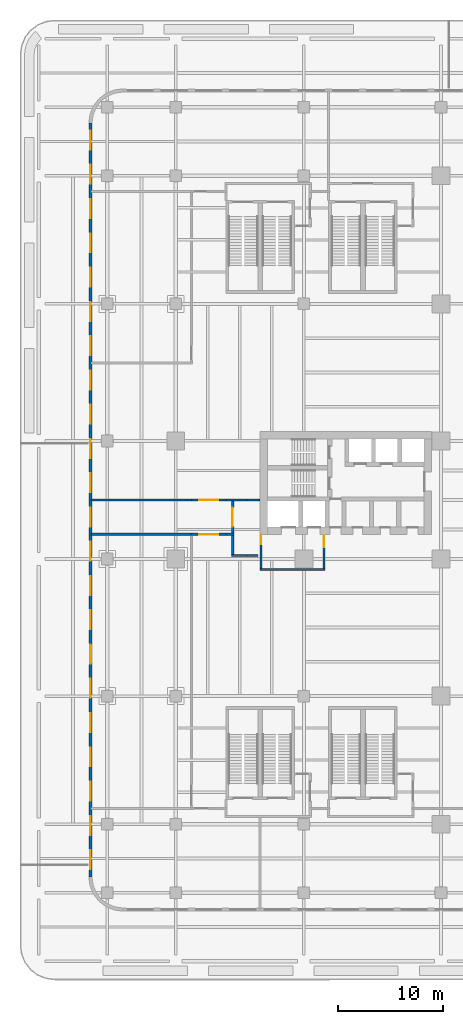
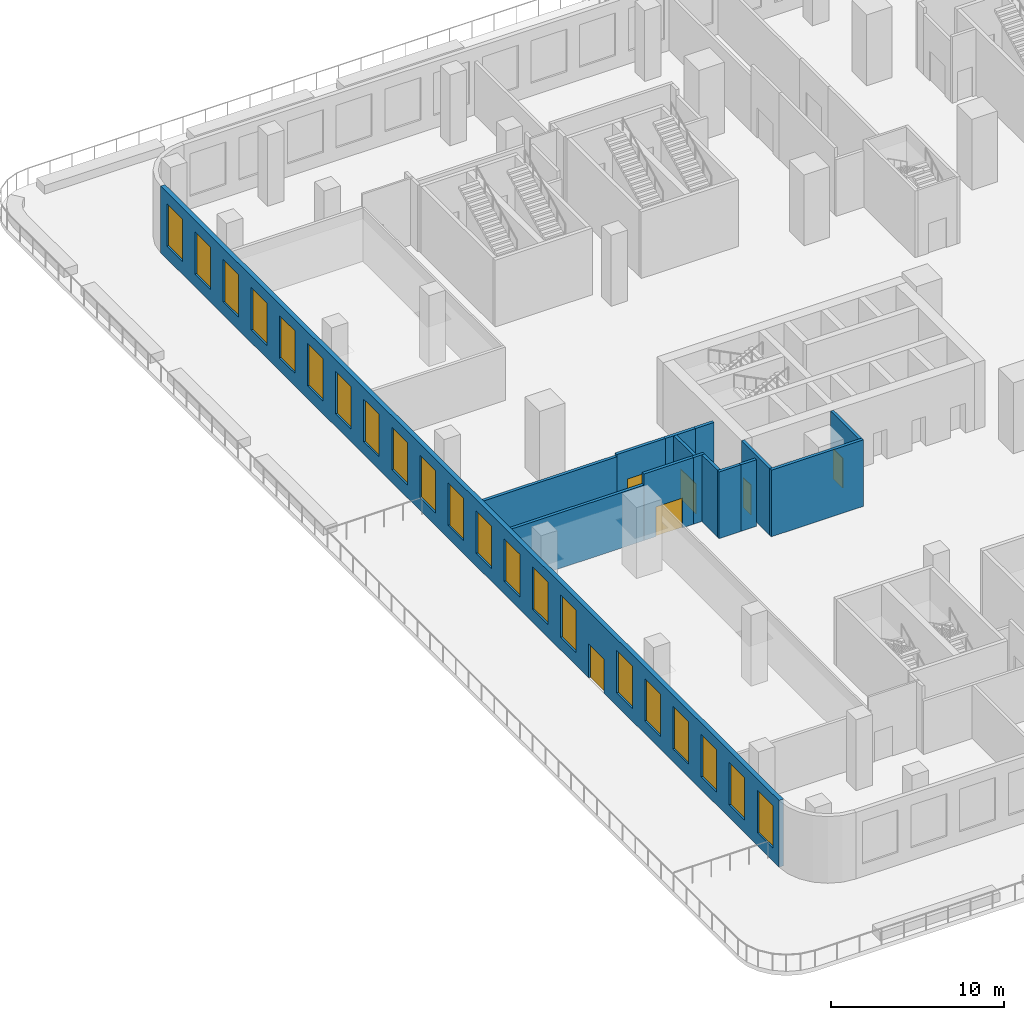
# One storey, part 8 of 18: 21 windows, 15 walls, 6 doors, 27 openings.
"""IFC4 building model written with IfcOpenShell, lengths in metres."""

from ifc_helpers import new_model, si_unit, direction, frame, frame_2d, origin, place, context, subcontext, project, spatial, rectangle, extrude, source, transform, mapped, material, layer, layer_set, type_object, element, fill, save


model = new_model("IFC4")

# Units and contexts
model_context = context("Model", 3, precision=1e-05, world=origin(), true_north=direction((0.0, 1.0)))
body_context = subcontext(model_context, "Body", "Model", "MODEL_VIEW")
ifc_project = project(units=[si_unit("LENGTHUNIT", "METRE"), si_unit("AREAUNIT", "SQUARE_METRE"), si_unit("VOLUMEUNIT", "CUBIC_METRE"), si_unit("PLANEANGLEUNIT", "RADIAN"), si_unit("MASSUNIT", "GRAM", prefix="KILO")], contexts=[model_context])

# Site, building, storey
site_placement = place(None, origin())
site = spatial("IfcSite", under=ifc_project, at=site_placement, CompositionType="ELEMENT")
building_placement = place(site_placement, origin())
building = spatial("IfcBuilding", under=site, at=building_placement, Name="Trellis Farm Tower", CompositionType="ELEMENT")
storey_placement = place(building_placement, frame((0.0, 0.0, 14.0)))
storey = spatial("IfcBuildingStorey", under=building, at=storey_placement, Name="L02", CompositionType="ELEMENT", Elevation=14.0)

# Wall, opening, door
ifc_material_1 = material(Name="Masonry blockwork", Category="masonry")
ifc_layer_1 = layer(ifc_material_1, 0.199951171875)
ifc_layer_set_1 = layer_set([ifc_layer_1], Name="FIRE LOBBY PARTITION 200 BLOCKWORK")
wall_type_1 = type_object("IfcWallType", Name="FIRE LOBBY PARTITION 200 BLOCKWORK", PredefinedType="PARTITIONING", material=ifc_layer_set_1)
shared_shape_1 = source(origin(), body_context, "Body", "SweptSolid", [
    extrude(rectangle(XDim=3.25, YDim=0.199951171875, at=frame_2d((1.625, 0.0))), origin(), (0.0, 0.0, 1.0), 4.699951171875),
])
wall_1_placement = place(storey_placement, frame((-16.699951171875, -3.25, 0.0), z_axis=(0.0, 0.0, 1.0), x_axis=(0.0, -1.0, 0.0)))
wall_1 = element("IfcWall", 1, at=wall_1_placement, inside=storey, type_object=wall_type_1, Name="Fire-fighting lobby partition", PredefinedType="PARTITIONING", context=body_context, shape_type="MappedRepresentation", body=[
    mapped(shared_shape_1, transform((0.0, 0.0, 0.0))),
])
shared_shape_2 = source(origin(), body_context, "Body", "SweptSolid", [
    extrude(rectangle(XDim=1.10009765625, YDim=2.10009765625, at=frame_2d((0.550048828125, 1.050048828125))), frame((0.0, 0.110107421875, 0.0), z_axis=(0.0, -1.0, 0.0), x_axis=(1.0, 0.0, 0.0)), (0.0, 0.0, 1.0), 0.22021484375),
])
opening_1_placement = place(wall_1_placement, frame((0.14990234375, 0.0, 0.0)))
opening_1 = element("IfcOpeningElement", 2, at=opening_1_placement, cuts=wall_1, Name="Opening DC93", PredefinedType="OPENING", context=body_context, shape_type="MappedRepresentation", body=[
    mapped(shared_shape_2, transform((0.0, 0.0, 0.0))),
])
ifc_material_2 = material(Name="Steel", Category="steel")
door_type_1 = type_object("IfcDoorType", Name="CORE FIRE DOOR 1100 X 2100", OperationType="NOTDEFINED", PredefinedType="DOOR", material=ifc_material_2)
shared_shape_3 = source(origin(), body_context, "Body", "SweptSolid", [
    extrude(rectangle(XDim=1.10009765625, YDim=2.10009765625, at=frame_2d((0.550048828125, 1.050048828125))), frame((0.0, 0.02490234375, 0.0), z_axis=(0.0, -1.0, 0.0), x_axis=(1.0, 0.0, 0.0)), (0.0, 0.0, 1.0), 0.050048828125),
])
door_1_placement = place(opening_1_placement, origin())
door_1 = element("IfcDoor", 3, at=door_1_placement, inside=storey, type_object=door_type_1, Name="Core door", OperationType="SINGLE_SWING_RIGHT", OverallHeight=2.10009765625, OverallWidth=1.10009765625, PredefinedType="DOOR", context=body_context, shape_type="MappedRepresentation", body=[
    mapped(shared_shape_3, transform((0.0, 0.0, 0.0))),
])
fill(opening_1, door_1)

wall_2_placement = place(storey_placement, frame((-22.64990234375, -3.25, 0.0), z_axis=(0.0, 0.0, 1.0), x_axis=(0.0, -1.0, 0.0)))
wall_2 = element("IfcWall", 4, at=wall_2_placement, inside=storey, type_object=wall_type_1, Name="Fire-fighting lobby partition", PredefinedType="PARTITIONING", context=body_context, shape_type="MappedRepresentation", body=[
    mapped(shared_shape_1, transform((0.0, 0.0, 0.0))),
])
shared_shape_4 = source(origin(), body_context, "Body", "SweptSolid", [
    extrude(rectangle(XDim=0.89990234375, YDim=2.10009765625, at=frame_2d((0.449951171875, 1.050048828125))), frame((0.0, 0.110107421875, 0.0), z_axis=(0.0, -1.0, 0.0), x_axis=(1.0, 0.0, 0.0)), (0.0, 0.0, 1.0), 0.22021484375),
])
opening_2_placement = place(wall_2_placement, frame((0.050048828125, 0.0, 0.0)))
opening_2 = element("IfcOpeningElement", 5, at=opening_2_placement, cuts=wall_2, Name="Opening DC94", PredefinedType="OPENING", context=body_context, shape_type="MappedRepresentation", body=[
    mapped(shared_shape_4, transform((0.0, 0.0, 0.0))),
])
door_type_2 = type_object("IfcDoorType", Name="CORE FIRE DOOR 900 X 2100", OperationType="NOTDEFINED", PredefinedType="DOOR", material=ifc_material_2)
shared_shape_5 = source(origin(), body_context, "Body", "SweptSolid", [
    extrude(rectangle(XDim=0.89990234375, YDim=2.10009765625, at=frame_2d((0.449951171875, 1.050048828125))), frame((0.0, 0.02490234375, 0.0), z_axis=(0.0, -1.0, 0.0), x_axis=(1.0, 0.0, 0.0)), (0.0, 0.0, 1.0), 0.050048828125),
])
door_2_placement = place(opening_2_placement, origin())
door_2 = element("IfcDoor", 6, at=door_2_placement, inside=storey, type_object=door_type_2, Name="Core door", OperationType="SINGLE_SWING_RIGHT", OverallHeight=2.10009765625, OverallWidth=0.89990234375, PredefinedType="DOOR", context=body_context, shape_type="MappedRepresentation", body=[
    mapped(shared_shape_5, transform((0.0, 0.0, 0.0))),
])
fill(opening_2, door_2)

# Wall
shared_shape_6 = source(origin(), body_context, "Body", "SweptSolid", [
    extrude(rectangle(XDim=6.14990234375, YDim=0.199951171875, at=frame_2d((3.074951171875, 0.0))), origin(), (0.0, 0.0, 1.0), 4.699951171875),
])
wall_3_placement = place(storey_placement, frame((-16.60009765625, -6.60009765625, 0.0), z_axis=(0.0, 0.0, 1.0), x_axis=(-1.0, 0.0, 0.0)))
element("IfcWall", 7, at=wall_3_placement, inside=storey, type_object=wall_type_1, Name="Fire-fighting lobby partition", PredefinedType="PARTITIONING", context=body_context, shape_type="MappedRepresentation", body=[
    mapped(shared_shape_6, transform((0.0, 0.0, 0.0))),
])

# Wall, openings, windows, door
ifc_material_3 = material(Name="Sandstone faced insulated wall", Category="masonry")
ifc_layer_2 = layer(ifc_material_3, 0.300048828125)
ifc_layer_set_2 = layer_set([ifc_layer_2], Name="STONE CLAD EXTERNAL WALL 300")
wall_type_2 = type_object("IfcWallType", Name="STONE CLAD EXTERNAL WALL 300", PredefinedType="SOLIDWALL", material=ifc_layer_set_2)
shared_shape_7 = source(origin(), body_context, "Body", "SweptSolid", [
    extrude(rectangle(XDim=71.5, YDim=0.300048828125, at=frame_2d((35.75, 0.0))), origin(), (0.0, 0.0, 1.0), 4.699951171875),
])
wall_4_placement = place(storey_placement, frame((-38.85009765625, 35.75, 0.0), z_axis=(0.0, 0.0, 1.0), x_axis=(0.0, -1.0, 0.0)))
wall_4 = element("IfcWall", 8, at=wall_4_placement, inside=storey, type_object=wall_type_2, Name="EW2 F03", PredefinedType="SOLIDWALL", context=body_context, shape_type="MappedRepresentation", body=[
    mapped(shared_shape_7, transform((0.0, 0.0, 0.0))),
])
shared_shape_8 = source(origin(), body_context, "Body", "SweptSolid", [
    extrude(rectangle(XDim=1.800048828125, YDim=3.0, at=frame_2d((0.89990234375, 1.5))), frame((0.0, 0.16015625, 0.0), z_axis=(0.0, -1.0, 0.0), x_axis=(1.0, 0.0, 0.0)), (0.0, 0.0, 1.0), 0.3203125),
])
opening_3_placement = place(wall_4_placement, frame((0.72509765625, 0.0, 0.89990234375)))
opening_3 = element("IfcOpeningElement", 9, at=opening_3_placement, cuts=wall_4, Name="Opening WN2", PredefinedType="OPENING", context=body_context, shape_type="MappedRepresentation", body=[
    mapped(shared_shape_8, transform((0.0, 0.0, 0.0))),
])
opening_4_placement = place(wall_4_placement, frame((3.97509765625, 0.0, 0.89990234375)))
opening_4 = element("IfcOpeningElement", 10, at=opening_4_placement, cuts=wall_4, Name="Opening WN2", PredefinedType="OPENING", context=body_context, shape_type="MappedRepresentation", body=[
    mapped(shared_shape_8, transform((0.0, 0.0, 0.0))),
])
opening_5_placement = place(wall_4_placement, frame((7.22509765625, 0.0, 0.89990234375)))
opening_5 = element("IfcOpeningElement", 11, at=opening_5_placement, cuts=wall_4, Name="Opening WN2", PredefinedType="OPENING", context=body_context, shape_type="MappedRepresentation", body=[
    mapped(shared_shape_8, transform((0.0, 0.0, 0.0))),
])
opening_6_placement = place(wall_4_placement, frame((10.47509765625, 0.0, 0.89990234375)))
opening_6 = element("IfcOpeningElement", 12, at=opening_6_placement, cuts=wall_4, Name="Opening WN2", PredefinedType="OPENING", context=body_context, shape_type="MappedRepresentation", body=[
    mapped(shared_shape_8, transform((0.0, 0.0, 0.0))),
])
opening_7_placement = place(wall_4_placement, frame((13.72509765625, 0.0, 0.89990234375)))
opening_7 = element("IfcOpeningElement", 13, at=opening_7_placement, cuts=wall_4, Name="Opening WN2", PredefinedType="OPENING", context=body_context, shape_type="MappedRepresentation", body=[
    mapped(shared_shape_8, transform((0.0, 0.0, 0.0))),
])
opening_8_placement = place(wall_4_placement, frame((16.97509765625, 0.0, 0.89990234375)))
opening_8 = element("IfcOpeningElement", 14, at=opening_8_placement, cuts=wall_4, Name="Opening WN2", PredefinedType="OPENING", context=body_context, shape_type="MappedRepresentation", body=[
    mapped(shared_shape_8, transform((0.0, 0.0, 0.0))),
])
opening_9_placement = place(wall_4_placement, frame((20.22509765625, 0.0, 0.89990234375)))
opening_9 = element("IfcOpeningElement", 15, at=opening_9_placement, cuts=wall_4, Name="Opening WN2", PredefinedType="OPENING", context=body_context, shape_type="MappedRepresentation", body=[
    mapped(shared_shape_8, transform((0.0, 0.0, 0.0))),
])
opening_10_placement = place(wall_4_placement, frame((23.47509765625, 0.0, 0.89990234375)))
opening_10 = element("IfcOpeningElement", 16, at=opening_10_placement, cuts=wall_4, Name="Opening WN2", PredefinedType="OPENING", context=body_context, shape_type="MappedRepresentation", body=[
    mapped(shared_shape_8, transform((0.0, 0.0, 0.0))),
])
opening_11_placement = place(wall_4_placement, frame((26.72509765625, 0.0, 0.89990234375)))
opening_11 = element("IfcOpeningElement", 17, at=opening_11_placement, cuts=wall_4, Name="Opening WN2", PredefinedType="OPENING", context=body_context, shape_type="MappedRepresentation", body=[
    mapped(shared_shape_8, transform((0.0, 0.0, 0.0))),
])
opening_12_placement = place(wall_4_placement, frame((29.97509765625, 0.0, 0.89990234375)))
opening_12 = element("IfcOpeningElement", 18, at=opening_12_placement, cuts=wall_4, Name="Opening WN2", PredefinedType="OPENING", context=body_context, shape_type="MappedRepresentation", body=[
    mapped(shared_shape_8, transform((0.0, 0.0, 0.0))),
])
opening_13_placement = place(wall_4_placement, frame((33.22509765625, 0.0, 0.89990234375)))
opening_13 = element("IfcOpeningElement", 19, at=opening_13_placement, cuts=wall_4, Name="Opening WN2", PredefinedType="OPENING", context=body_context, shape_type="MappedRepresentation", body=[
    mapped(shared_shape_8, transform((0.0, 0.0, 0.0))),
])
opening_14_placement = place(wall_4_placement, frame((36.47509765625, 0.0, 0.89990234375)))
opening_14 = element("IfcOpeningElement", 20, at=opening_14_placement, cuts=wall_4, Name="Opening WN2", PredefinedType="OPENING", context=body_context, shape_type="MappedRepresentation", body=[
    mapped(shared_shape_8, transform((0.0, 0.0, 0.0))),
])
opening_15_placement = place(wall_4_placement, frame((39.72509765625, 0.0, 0.89990234375)))
opening_15 = element("IfcOpeningElement", 21, at=opening_15_placement, cuts=wall_4, Name="Opening WN2", PredefinedType="OPENING", context=body_context, shape_type="MappedRepresentation", body=[
    mapped(shared_shape_8, transform((0.0, 0.0, 0.0))),
])
opening_16_placement = place(wall_4_placement, frame((42.97509765625, 0.0, 0.89990234375)))
opening_16 = element("IfcOpeningElement", 22, at=opening_16_placement, cuts=wall_4, Name="Opening WN2", PredefinedType="OPENING", context=body_context, shape_type="MappedRepresentation", body=[
    mapped(shared_shape_8, transform((0.0, 0.0, 0.0))),
])
opening_17_placement = place(wall_4_placement, frame((46.22509765625, 0.0, 0.89990234375)))
opening_17 = element("IfcOpeningElement", 23, at=opening_17_placement, cuts=wall_4, Name="Opening WN2", PredefinedType="OPENING", context=body_context, shape_type="MappedRepresentation", body=[
    mapped(shared_shape_8, transform((0.0, 0.0, 0.0))),
])
shared_shape_9 = source(origin(), body_context, "Body", "SweptSolid", [
    extrude(rectangle(XDim=1.800048828125, YDim=2.39990234375, at=frame_2d((0.89990234375, 1.199951171875))), frame((0.0, 0.16015625, 0.0), z_axis=(0.0, -1.0, 0.0), x_axis=(1.0, 0.0, 0.0)), (0.0, 0.0, 1.0), 0.3203125),
])
opening_18_placement = place(wall_4_placement, frame((49.47509765625, 0.0, 0.0)))
opening_18 = element("IfcOpeningElement", 24, at=opening_18_placement, cuts=wall_4, Name="Opening ED1", PredefinedType="OPENING", context=body_context, shape_type="MappedRepresentation", body=[
    mapped(shared_shape_9, transform((0.0, 0.0, 0.0))),
])
opening_19_placement = place(wall_4_placement, frame((52.72509765625, 0.0, 0.89990234375)))
opening_19 = element("IfcOpeningElement", 25, at=opening_19_placement, cuts=wall_4, Name="Opening WN2", PredefinedType="OPENING", context=body_context, shape_type="MappedRepresentation", body=[
    mapped(shared_shape_8, transform((0.0, 0.0, 0.0))),
])
opening_20_placement = place(wall_4_placement, frame((55.97509765625, 0.0, 0.89990234375)))
opening_20 = element("IfcOpeningElement", 26, at=opening_20_placement, cuts=wall_4, Name="Opening WN2", PredefinedType="OPENING", context=body_context, shape_type="MappedRepresentation", body=[
    mapped(shared_shape_8, transform((0.0, 0.0, 0.0))),
])
opening_21_placement = place(wall_4_placement, frame((59.22509765625, 0.0, 0.89990234375)))
opening_21 = element("IfcOpeningElement", 27, at=opening_21_placement, cuts=wall_4, Name="Opening WN2", PredefinedType="OPENING", context=body_context, shape_type="MappedRepresentation", body=[
    mapped(shared_shape_8, transform((0.0, 0.0, 0.0))),
])
opening_22_placement = place(wall_4_placement, frame((62.47509765625, 0.0, 0.89990234375)))
opening_22 = element("IfcOpeningElement", 28, at=opening_22_placement, cuts=wall_4, Name="Opening WN2", PredefinedType="OPENING", context=body_context, shape_type="MappedRepresentation", body=[
    mapped(shared_shape_8, transform((0.0, 0.0, 0.0))),
])
opening_23_placement = place(wall_4_placement, frame((65.72509765625, 0.0, 0.89990234375)))
opening_23 = element("IfcOpeningElement", 29, at=opening_23_placement, cuts=wall_4, Name="Opening WN2", PredefinedType="OPENING", context=body_context, shape_type="MappedRepresentation", body=[
    mapped(shared_shape_8, transform((0.0, 0.0, 0.0))),
])
opening_24_placement = place(wall_4_placement, frame((68.97509765625, 0.0, 0.89990234375)))
opening_24 = element("IfcOpeningElement", 30, at=opening_24_placement, cuts=wall_4, Name="Opening WN2", PredefinedType="OPENING", context=body_context, shape_type="MappedRepresentation", body=[
    mapped(shared_shape_8, transform((0.0, 0.0, 0.0))),
])
ifc_material_4 = material(Name="Clear insulated glass", Category="glass")
window_type = type_object("IfcWindowType", Name="PODIUM WINDOW 1800x3000", PartitioningType="SINGLE_PANEL", PredefinedType="WINDOW", material=ifc_material_4)
shared_shape_10 = source(origin(), body_context, "Body", "SweptSolid", [
    extrude(rectangle(XDim=1.800048828125, YDim=3.0, at=frame_2d((0.89990234375, 1.5))), frame((0.0, 0.030029296875, 0.0), z_axis=(0.0, -1.0, 0.0), x_axis=(1.0, 0.0, 0.0)), (0.0, 0.0, 1.0), 0.06005859375),
])
window_1_placement = place(opening_3_placement, origin())
window_1 = element("IfcWindow", 31, at=window_1_placement, inside=storey, type_object=window_type, Name="WN2 044", OverallHeight=3.0, OverallWidth=1.800048828125, PartitioningType="SINGLE_PANEL", PredefinedType="WINDOW", context=body_context, shape_type="MappedRepresentation", body=[
    mapped(shared_shape_10, transform((0.0, 0.0, 0.0))),
])
fill(opening_3, window_1)
window_2_placement = place(opening_4_placement, origin())
window_2 = element("IfcWindow", 32, at=window_2_placement, inside=storey, type_object=window_type, Name="WN2 045", OverallHeight=3.0, OverallWidth=1.800048828125, PartitioningType="SINGLE_PANEL", PredefinedType="WINDOW", context=body_context, shape_type="MappedRepresentation", body=[
    mapped(shared_shape_10, transform((0.0, 0.0, 0.0))),
])
fill(opening_4, window_2)
window_3_placement = place(opening_5_placement, origin())
window_3 = element("IfcWindow", 33, at=window_3_placement, inside=storey, type_object=window_type, Name="WN2 046", OverallHeight=3.0, OverallWidth=1.800048828125, PartitioningType="SINGLE_PANEL", PredefinedType="WINDOW", context=body_context, shape_type="MappedRepresentation", body=[
    mapped(shared_shape_10, transform((0.0, 0.0, 0.0))),
])
fill(opening_5, window_3)
window_4_placement = place(opening_6_placement, origin())
window_4 = element("IfcWindow", 34, at=window_4_placement, inside=storey, type_object=window_type, Name="WN2 047", OverallHeight=3.0, OverallWidth=1.800048828125, PartitioningType="SINGLE_PANEL", PredefinedType="WINDOW", context=body_context, shape_type="MappedRepresentation", body=[
    mapped(shared_shape_10, transform((0.0, 0.0, 0.0))),
])
fill(opening_6, window_4)
window_5_placement = place(opening_7_placement, origin())
window_5 = element("IfcWindow", 35, at=window_5_placement, inside=storey, type_object=window_type, Name="WN2 048", OverallHeight=3.0, OverallWidth=1.800048828125, PartitioningType="SINGLE_PANEL", PredefinedType="WINDOW", context=body_context, shape_type="MappedRepresentation", body=[
    mapped(shared_shape_10, transform((0.0, 0.0, 0.0))),
])
fill(opening_7, window_5)
window_6_placement = place(opening_8_placement, origin())
window_6 = element("IfcWindow", 36, at=window_6_placement, inside=storey, type_object=window_type, Name="WN2 049", OverallHeight=3.0, OverallWidth=1.800048828125, PartitioningType="SINGLE_PANEL", PredefinedType="WINDOW", context=body_context, shape_type="MappedRepresentation", body=[
    mapped(shared_shape_10, transform((0.0, 0.0, 0.0))),
])
fill(opening_8, window_6)
window_7_placement = place(opening_9_placement, origin())
window_7 = element("IfcWindow", 37, at=window_7_placement, inside=storey, type_object=window_type, Name="WN2 050", OverallHeight=3.0, OverallWidth=1.800048828125, PartitioningType="SINGLE_PANEL", PredefinedType="WINDOW", context=body_context, shape_type="MappedRepresentation", body=[
    mapped(shared_shape_10, transform((0.0, 0.0, 0.0))),
])
fill(opening_9, window_7)
window_8_placement = place(opening_10_placement, origin())
window_8 = element("IfcWindow", 38, at=window_8_placement, inside=storey, type_object=window_type, Name="WN2 051", OverallHeight=3.0, OverallWidth=1.800048828125, PartitioningType="SINGLE_PANEL", PredefinedType="WINDOW", context=body_context, shape_type="MappedRepresentation", body=[
    mapped(shared_shape_10, transform((0.0, 0.0, 0.0))),
])
fill(opening_10, window_8)
window_9_placement = place(opening_11_placement, origin())
window_9 = element("IfcWindow", 39, at=window_9_placement, inside=storey, type_object=window_type, Name="WN2 052", OverallHeight=3.0, OverallWidth=1.800048828125, PartitioningType="SINGLE_PANEL", PredefinedType="WINDOW", context=body_context, shape_type="MappedRepresentation", body=[
    mapped(shared_shape_10, transform((0.0, 0.0, 0.0))),
])
fill(opening_11, window_9)
window_10_placement = place(opening_12_placement, origin())
window_10 = element("IfcWindow", 40, at=window_10_placement, inside=storey, type_object=window_type, Name="WN2 053", OverallHeight=3.0, OverallWidth=1.800048828125, PartitioningType="SINGLE_PANEL", PredefinedType="WINDOW", context=body_context, shape_type="MappedRepresentation", body=[
    mapped(shared_shape_10, transform((0.0, 0.0, 0.0))),
])
fill(opening_12, window_10)
window_11_placement = place(opening_13_placement, origin())
window_11 = element("IfcWindow", 41, at=window_11_placement, inside=storey, type_object=window_type, Name="WN2 054", OverallHeight=3.0, OverallWidth=1.800048828125, PartitioningType="SINGLE_PANEL", PredefinedType="WINDOW", context=body_context, shape_type="MappedRepresentation", body=[
    mapped(shared_shape_10, transform((0.0, 0.0, 0.0))),
])
fill(opening_13, window_11)
window_12_placement = place(opening_14_placement, origin())
window_12 = element("IfcWindow", 42, at=window_12_placement, inside=storey, type_object=window_type, Name="WN2 055", OverallHeight=3.0, OverallWidth=1.800048828125, PartitioningType="SINGLE_PANEL", PredefinedType="WINDOW", context=body_context, shape_type="MappedRepresentation", body=[
    mapped(shared_shape_10, transform((0.0, 0.0, 0.0))),
])
fill(opening_14, window_12)
window_13_placement = place(opening_15_placement, origin())
window_13 = element("IfcWindow", 43, at=window_13_placement, inside=storey, type_object=window_type, Name="WN2 056", OverallHeight=3.0, OverallWidth=1.800048828125, PartitioningType="SINGLE_PANEL", PredefinedType="WINDOW", context=body_context, shape_type="MappedRepresentation", body=[
    mapped(shared_shape_10, transform((0.0, 0.0, 0.0))),
])
fill(opening_15, window_13)
window_14_placement = place(opening_16_placement, origin())
window_14 = element("IfcWindow", 44, at=window_14_placement, inside=storey, type_object=window_type, Name="WN2 057", OverallHeight=3.0, OverallWidth=1.800048828125, PartitioningType="SINGLE_PANEL", PredefinedType="WINDOW", context=body_context, shape_type="MappedRepresentation", body=[
    mapped(shared_shape_10, transform((0.0, 0.0, 0.0))),
])
fill(opening_16, window_14)
window_15_placement = place(opening_17_placement, origin())
window_15 = element("IfcWindow", 45, at=window_15_placement, inside=storey, type_object=window_type, Name="WN2 058", OverallHeight=3.0, OverallWidth=1.800048828125, PartitioningType="SINGLE_PANEL", PredefinedType="WINDOW", context=body_context, shape_type="MappedRepresentation", body=[
    mapped(shared_shape_10, transform((0.0, 0.0, 0.0))),
])
fill(opening_17, window_15)
window_16_placement = place(opening_19_placement, origin())
window_16 = element("IfcWindow", 46, at=window_16_placement, inside=storey, type_object=window_type, Name="WN2 059", OverallHeight=3.0, OverallWidth=1.800048828125, PartitioningType="SINGLE_PANEL", PredefinedType="WINDOW", context=body_context, shape_type="MappedRepresentation", body=[
    mapped(shared_shape_10, transform((0.0, 0.0, 0.0))),
])
fill(opening_19, window_16)
window_17_placement = place(opening_20_placement, origin())
window_17 = element("IfcWindow", 47, at=window_17_placement, inside=storey, type_object=window_type, Name="WN2 060", OverallHeight=3.0, OverallWidth=1.800048828125, PartitioningType="SINGLE_PANEL", PredefinedType="WINDOW", context=body_context, shape_type="MappedRepresentation", body=[
    mapped(shared_shape_10, transform((0.0, 0.0, 0.0))),
])
fill(opening_20, window_17)
window_18_placement = place(opening_21_placement, origin())
window_18 = element("IfcWindow", 48, at=window_18_placement, inside=storey, type_object=window_type, Name="WN2 061", OverallHeight=3.0, OverallWidth=1.800048828125, PartitioningType="SINGLE_PANEL", PredefinedType="WINDOW", context=body_context, shape_type="MappedRepresentation", body=[
    mapped(shared_shape_10, transform((0.0, 0.0, 0.0))),
])
fill(opening_21, window_18)
window_19_placement = place(opening_22_placement, origin())
window_19 = element("IfcWindow", 49, at=window_19_placement, inside=storey, type_object=window_type, Name="WN2 062", OverallHeight=3.0, OverallWidth=1.800048828125, PartitioningType="SINGLE_PANEL", PredefinedType="WINDOW", context=body_context, shape_type="MappedRepresentation", body=[
    mapped(shared_shape_10, transform((0.0, 0.0, 0.0))),
])
fill(opening_22, window_19)
window_20_placement = place(opening_23_placement, origin())
window_20 = element("IfcWindow", 50, at=window_20_placement, inside=storey, type_object=window_type, Name="WN2 063", OverallHeight=3.0, OverallWidth=1.800048828125, PartitioningType="SINGLE_PANEL", PredefinedType="WINDOW", context=body_context, shape_type="MappedRepresentation", body=[
    mapped(shared_shape_10, transform((0.0, 0.0, 0.0))),
])
fill(opening_23, window_20)
window_21_placement = place(opening_24_placement, origin())
window_21 = element("IfcWindow", 51, at=window_21_placement, inside=storey, type_object=window_type, Name="WN2 064", OverallHeight=3.0, OverallWidth=1.800048828125, PartitioningType="SINGLE_PANEL", PredefinedType="WINDOW", context=body_context, shape_type="MappedRepresentation", body=[
    mapped(shared_shape_10, transform((0.0, 0.0, 0.0))),
])
fill(opening_24, window_21)
ifc_material_5 = material(Name="Aluminium framed glazed door", Category="aluminium")
door_type_3 = type_object("IfcDoorType", Name="BALCONY DOOR 1800x2400", OperationType="DOUBLE_DOOR_SINGLE_SWING", PredefinedType="DOOR", material=ifc_material_5)
shared_shape_11 = source(origin(), body_context, "Body", "SweptSolid", [
    extrude(rectangle(XDim=1.800048828125, YDim=2.39990234375, at=frame_2d((0.89990234375, 1.199951171875))), frame((0.0, 0.02490234375, 0.0), z_axis=(0.0, -1.0, 0.0), x_axis=(1.0, 0.0, 0.0)), (0.0, 0.0, 1.0), 0.050048828125),
])
door_3_placement = place(opening_18_placement, origin())
door_3 = element("IfcDoor", 52, at=door_3_placement, inside=storey, type_object=door_type_3, Name="Balcony door", OperationType="DOUBLE_DOOR_SINGLE_SWING", OverallHeight=2.39990234375, OverallWidth=1.800048828125, PredefinedType="DOOR", context=body_context, shape_type="MappedRepresentation", body=[
    mapped(shared_shape_11, transform((0.0, 0.0, 0.0))),
])
fill(opening_18, door_3)

# Wall
ifc_material_6 = material(Name="Lightweight blockwork, plastered", Category="masonry")
ifc_layer_3 = layer(ifc_material_6, 0.199951171875)
ifc_layer_set_3 = layer_set([ifc_layer_3], Name="BLOCK WALL 200 EI 120")
wall_type_3 = type_object("IfcWallType", Name="BLOCK WALL 200 EI 120", PredefinedType="PARTITIONING", material=ifc_layer_set_3)
shared_shape_12 = source(origin(), body_context, "Body", "SweptSolid", [
    extrude(rectangle(XDim=9.550048828125, YDim=0.199951171875, at=frame_2d((4.77490234375, 0.0))), origin(), (0.0, 0.0, 1.0), 3.917724609375),
])
wall_5_placement = place(storey_placement, frame((-38.800048828125, 0.0, 0.0), z_axis=(0.0, 0.0, 1.0), x_axis=(1.0, 0.0, 0.0)))
element("IfcWall", 53, at=wall_5_placement, inside=storey, type_object=wall_type_3, Name="Partition PW3", PredefinedType="PARTITIONING", context=body_context, shape_type="MappedRepresentation", body=[
    mapped(shared_shape_12, transform((0.0, 0.0, 0.0))),
])

# Wall, opening, door
shared_shape_13 = source(origin(), body_context, "Body", "SweptSolid", [
    extrude(rectangle(XDim=3.0498046875, YDim=0.199951171875, at=frame_2d((1.52490234375, 0.0))), origin(), (0.0, 0.0, 1.0), 4.077392578125),
])
wall_6_placement = place(storey_placement, frame((-25.35009765625, -3.14990234375, 0.0), z_axis=(0.0, 0.0, 1.0), x_axis=(0.0, 1.0, 0.0)))
wall_6 = element("IfcWall", 54, at=wall_6_placement, inside=storey, type_object=wall_type_3, Name="Partition PW3", PredefinedType="PARTITIONING", context=body_context, shape_type="MappedRepresentation", body=[
    mapped(shared_shape_13, transform((0.0, 0.0, 0.0))),
])
shared_shape_14 = source(origin(), body_context, "Body", "SweptSolid", [
    extrude(rectangle(XDim=1.800048828125, YDim=2.10009765625, at=frame_2d((0.89990234375, 1.050048828125))), frame((0.0, 0.110107421875, 0.0), z_axis=(0.0, -1.0, 0.0), x_axis=(1.0, 0.0, 0.0)), (0.0, 0.0, 1.0), 0.22021484375),
])
opening_25_placement = place(wall_6_placement, frame((0.625, 0.0, 0.0)))
opening_25 = element("IfcOpeningElement", 55, at=opening_25_placement, cuts=wall_6, Name="Opening D408", PredefinedType="OPENING", context=body_context, shape_type="MappedRepresentation", body=[
    mapped(shared_shape_14, transform((0.0, 0.0, 0.0))),
])
ifc_material_7 = material(Name="Fire-rated timber door leaf in a hollow metal frame", Category="wood")
door_type_4 = type_object("IfcDoorType", Name="DOOR PAIR 1800x2100 FD60", OperationType="NOTDEFINED", PredefinedType="DOOR", material=ifc_material_7)
shared_shape_15 = source(origin(), body_context, "Body", "SweptSolid", [
    extrude(rectangle(XDim=1.800048828125, YDim=2.10009765625, at=frame_2d((0.89990234375, 1.050048828125))), frame((0.0, 0.02490234375, 0.0), z_axis=(0.0, -1.0, 0.0), x_axis=(1.0, 0.0, 0.0)), (0.0, 0.0, 1.0), 0.050048828125),
])
door_4_placement = place(opening_25_placement, origin())
door_4 = element("IfcDoor", 56, at=door_4_placement, inside=storey, type_object=door_type_4, Name="Door D408", OperationType="DOUBLE_DOOR_SINGLE_SWING", OverallHeight=2.10009765625, OverallWidth=1.800048828125, PredefinedType="DOOR", context=body_context, shape_type="MappedRepresentation", body=[
    mapped(shared_shape_15, transform((0.0, 0.0, 0.0))),
])
fill(opening_25, door_4)

# Walls
shared_shape_16 = source(origin(), body_context, "Body", "SweptSolid", [
    extrude(rectangle(XDim=1.7998046875, YDim=0.199951171875, at=frame_2d((0.89990234375, 0.0))), origin(), (0.0, 0.0, 1.0), 4.699951171875),
])
wall_7_placement = place(storey_placement, frame((-25.35009765625, -3.35009765625, 0.0), z_axis=(0.0, 0.0, 1.0), x_axis=(0.0, -1.0, 0.0)))
element("IfcWall", 57, at=wall_7_placement, inside=storey, type_object=wall_type_3, Name="Partition PW3", PredefinedType="PARTITIONING", context=body_context, shape_type="MappedRepresentation", body=[
    mapped(shared_shape_16, transform((0.0, 0.0, 0.0))),
])
shared_shape_17 = source(origin(), body_context, "Body", "SweptSolid", [
    extrude(rectangle(XDim=1.25, YDim=0.199951171875, at=frame_2d((0.625, 0.0))), origin(), (0.0, 0.0, 1.0), 4.077392578125),
])
wall_8_placement = place(storey_placement, frame((-24.0, 0.0, 0.0), z_axis=(0.0, 0.0, 1.0), x_axis=(1.0, 0.0, 0.0)))
element("IfcWall", 58, at=wall_8_placement, inside=storey, type_object=wall_type_3, Name="Partition PW3", PredefinedType="PARTITIONING", context=body_context, shape_type="MappedRepresentation", body=[
    mapped(shared_shape_17, transform((0.0, 0.0, 0.0))),
])

# Wall, opening, door
shared_shape_18 = source(origin(), body_context, "Body", "SweptSolid", [
    extrude(rectangle(XDim=3.25, YDim=0.199951171875, at=frame_2d((1.625, 0.0))), origin(), (0.0, 0.0, 1.0), 4.077392578125),
])
wall_9_placement = place(storey_placement, frame((-29.25, 0.0, 0.0), z_axis=(0.0, 0.0, 1.0), x_axis=(1.0, 0.0, 0.0)))
wall_9 = element("IfcWall", 59, at=wall_9_placement, inside=storey, type_object=wall_type_3, Name="Partition PW3", PredefinedType="PARTITIONING", context=body_context, shape_type="MappedRepresentation", body=[
    mapped(shared_shape_18, transform((0.0, 0.0, 0.0))),
])
opening_26_placement = place(wall_9_placement, frame((0.72509765625, 0.0, 0.0)))
opening_26 = element("IfcOpeningElement", 60, at=opening_26_placement, cuts=wall_9, Name="Opening D409", PredefinedType="OPENING", context=body_context, shape_type="MappedRepresentation", body=[
    mapped(shared_shape_14, transform((0.0, 0.0, 0.0))),
])
door_5_placement = place(opening_26_placement, origin())
door_5 = element("IfcDoor", 61, at=door_5_placement, inside=storey, type_object=door_type_4, Name="Door D409", OperationType="DOUBLE_DOOR_SINGLE_SWING", OverallHeight=2.10009765625, OverallWidth=1.800048828125, PredefinedType="DOOR", context=body_context, shape_type="MappedRepresentation", body=[
    mapped(shared_shape_15, transform((0.0, 0.0, 0.0))),
])
fill(opening_26, door_5)

# Walls
shared_shape_19 = source(origin(), body_context, "Body", "SweptSolid", [
    extrude(rectangle(XDim=2.0, YDim=0.199951171875, at=frame_2d((1.0, 0.0))), origin(), (0.0, 0.0, 1.0), 4.077392578125),
])
wall_10_placement = place(storey_placement, frame((-26.0, 0.0, 0.0), z_axis=(0.0, 0.0, 1.0), x_axis=(1.0, 0.0, 0.0)))
element("IfcWall", 62, at=wall_10_placement, inside=storey, type_object=wall_type_3, Name="Partition PW3", PredefinedType="PARTITIONING", context=body_context, shape_type="MappedRepresentation", body=[
    mapped(shared_shape_19, transform((0.0, 0.0, 0.0))),
])
shared_shape_20 = source(origin(), body_context, "Body", "SweptSolid", [
    extrude(rectangle(XDim=0.75, YDim=0.199951171875, at=frame_2d((0.375, 0.0))), origin(), (0.0, 0.0, 1.0), 4.699951171875),
])
wall_11_placement = place(storey_placement, frame((-25.25, -3.25, 0.0), z_axis=(0.0, 0.0, 1.0), x_axis=(-1.0, 0.0, 0.0)))
element("IfcWall", 63, at=wall_11_placement, inside=storey, type_object=wall_type_3, Name="Partition PW3", PredefinedType="PARTITIONING", context=body_context, shape_type="MappedRepresentation", body=[
    mapped(shared_shape_20, transform((0.0, 0.0, 0.0))),
])
shared_shape_21 = source(origin(), body_context, "Body", "SweptSolid", [
    extrude(rectangle(XDim=1.050048828125, YDim=0.199951171875, at=frame_2d((0.52490234375, 0.0))), origin(), (0.0, 0.0, 1.0), 4.699951171875),
])
wall_12_placement = place(storey_placement, frame((-24.0, -5.25, 0.0), z_axis=(0.0, 0.0, 1.0), x_axis=(1.0, 0.0, 0.0)))
element("IfcWall", 64, at=wall_12_placement, inside=storey, type_object=wall_type_3, Name="Partition PW3", PredefinedType="PARTITIONING", context=body_context, shape_type="MappedRepresentation", body=[
    mapped(shared_shape_21, transform((0.0, 0.0, 0.0))),
])
shared_shape_22 = source(origin(), body_context, "Body", "SweptSolid", [
    extrude(rectangle(XDim=1.449951171875, YDim=0.199951171875, at=frame_2d((0.72509765625, 0.0))), origin(), (0.0, 0.0, 1.0), 4.699951171875),
])
wall_13_placement = place(storey_placement, frame((-24.0, -5.25, 0.0), z_axis=(0.0, 0.0, 1.0), x_axis=(-1.0, 0.0, 0.0)))
element("IfcWall", 65, at=wall_13_placement, inside=storey, type_object=wall_type_3, Name="Partition PW3", PredefinedType="PARTITIONING", context=body_context, shape_type="MappedRepresentation", body=[
    mapped(shared_shape_22, transform((0.0, 0.0, 0.0))),
])

# Wall, opening, door
shared_shape_23 = source(origin(), body_context, "Body", "SweptSolid", [
    extrude(rectangle(XDim=3.3125, YDim=0.199951171875, at=frame_2d((1.65625, 0.0))), origin(), (0.0, 0.0, 1.0), 4.699951171875),
])
wall_14_placement = place(storey_placement, frame((-26.0, -3.25, 0.0), z_axis=(0.0, 0.0, 1.0), x_axis=(-1.0, 0.0, 0.0)))
wall_14 = element("IfcWall", 66, at=wall_14_placement, inside=storey, type_object=wall_type_3, Name="Partition PW3", PredefinedType="PARTITIONING", context=body_context, shape_type="MappedRepresentation", body=[
    mapped(shared_shape_23, transform((0.0, 0.0, 0.0))),
])
opening_27_placement = place(wall_14_placement, frame((0.72509765625, 0.0, 0.0)))
opening_27 = element("IfcOpeningElement", 67, at=opening_27_placement, cuts=wall_14, Name="Opening D407", PredefinedType="OPENING", context=body_context, shape_type="MappedRepresentation", body=[
    mapped(shared_shape_14, transform((0.0, 0.0, 0.0))),
])
door_6_placement = place(opening_27_placement, origin())
door_6 = element("IfcDoor", 68, at=door_6_placement, inside=storey, type_object=door_type_4, Name="Door D407", OperationType="DOUBLE_DOOR_SINGLE_SWING", OverallHeight=2.10009765625, OverallWidth=1.800048828125, PredefinedType="DOOR", context=body_context, shape_type="MappedRepresentation", body=[
    mapped(shared_shape_15, transform((0.0, 0.0, 0.0))),
])
fill(opening_27, door_6)

# Wall
shared_shape_24 = source(origin(), body_context, "Body", "SweptSolid", [
    extrude(rectangle(XDim=9.612548828125, YDim=0.199951171875, at=frame_2d((4.80615234375, 0.0))), origin(), (0.0, 0.0, 1.0), 3.917724609375),
])
wall_15_placement = place(storey_placement, frame((-29.1875, -3.25, 0.0), z_axis=(0.0, 0.0, 1.0), x_axis=(-1.0, 0.0, 0.0)))
element("IfcWall", 69, at=wall_15_placement, inside=storey, type_object=wall_type_3, Name="Partition PW3", PredefinedType="PARTITIONING", context=body_context, shape_type="MappedRepresentation", body=[
    mapped(shared_shape_24, transform((0.0, 0.0, 0.0))),
])

save(model, "model.ifc")
